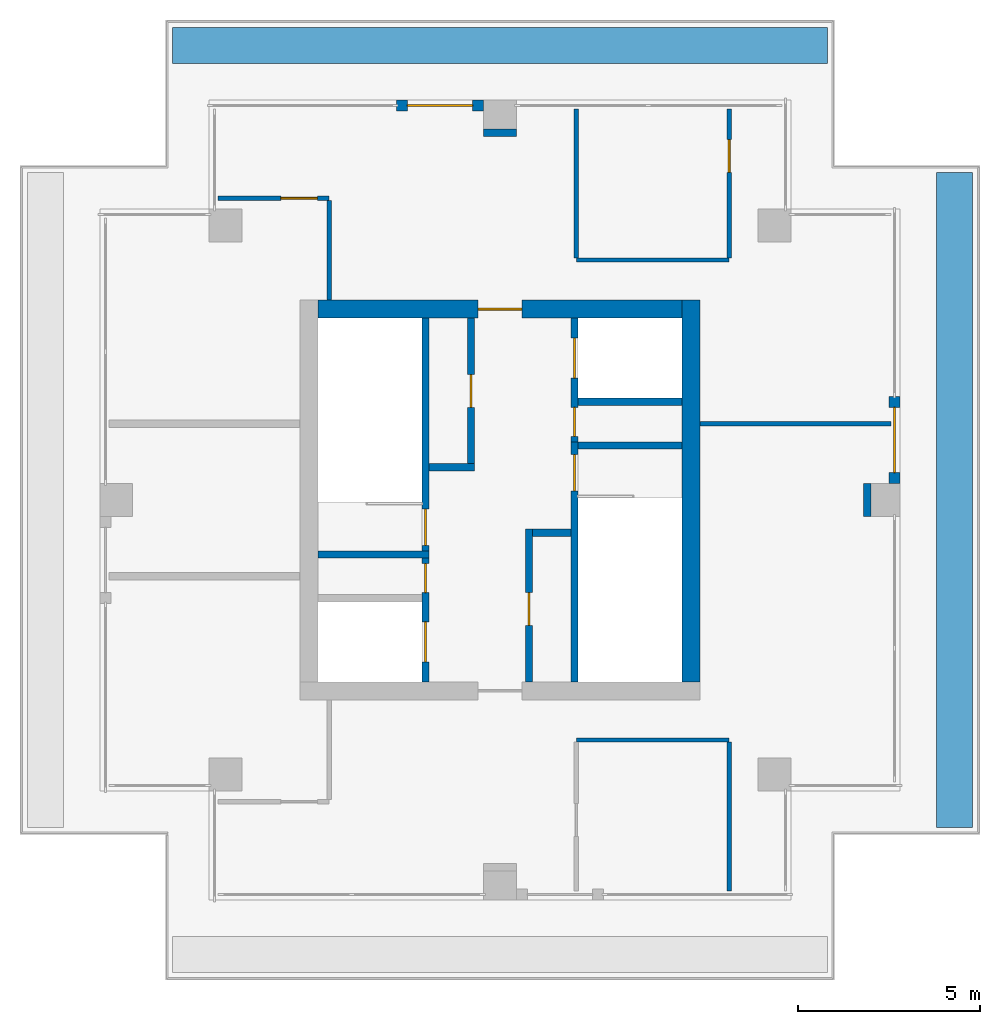
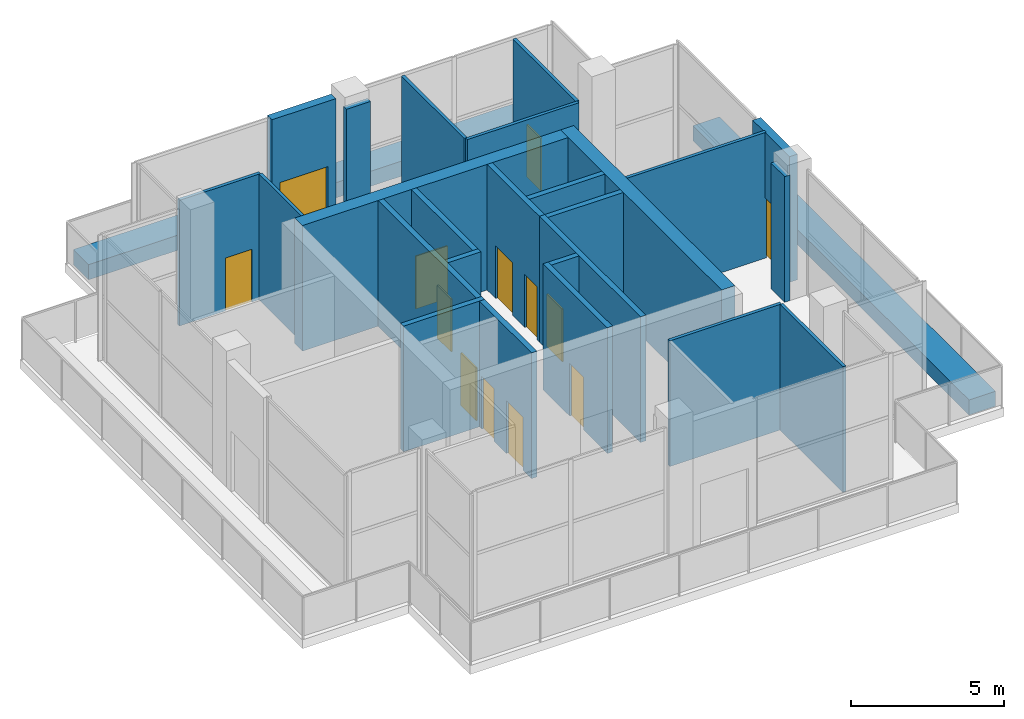
# One storey, part 4 of 5: 27 walls, 13 doors, 13 openings.
"""IFC4 building model written with IfcOpenShell, lengths in metres."""

from ifc_helpers import new_model, si_unit, direction, frame, frame_2d, origin, place, context, subcontext, project, spatial, rectangle, extrude, material, layer, layer_set, type_object, element, fill, save


model = new_model("IFC4")

# Units and contexts
model_context = context("Model", 3, precision=1e-05, world=origin(), true_north=direction((0.0, 1.0)))
body_context = subcontext(model_context, "Body", "Model", "MODEL_VIEW")
ifc_project = project(units=[si_unit("LENGTHUNIT", "METRE"), si_unit("AREAUNIT", "SQUARE_METRE"), si_unit("VOLUMEUNIT", "CUBIC_METRE"), si_unit("PLANEANGLEUNIT", "RADIAN"), si_unit("MASSUNIT", "GRAM", prefix="KILO")], contexts=[model_context])

# Site, building, storey
site_placement = place(None, origin())
site = spatial("IfcSite", under=ifc_project, at=site_placement, CompositionType="ELEMENT")
building_placement = place(site_placement, origin())
building = spatial("IfcBuilding", under=site, at=building_placement, Name="Khepri Terraces", CompositionType="ELEMENT")
storey_placement = place(building_placement, frame((0.0, 0.0, 316.199951171875)))
storey = spatial("IfcBuildingStorey", under=building, at=storey_placement, Name="L76", CompositionType="ELEMENT", Elevation=316.199951171875)

# Wall, opening, door
ifc_material_1 = material(Name="Concrete C40/50", Category="concrete")
ifc_layer_1 = layer(ifc_material_1, 0.199951171875, Name="Concrete C40/50", Category="concrete")
ifc_layer_set_1 = layer_set([ifc_layer_1], Name="Concrete C40/50")
wall_type_1 = type_object("IfcWallType", Name="Core wall 200 C40/50", PredefinedType="SHEAR", material=ifc_layer_set_1)
wall_1_placement = place(storey_placement, frame((2.050048828125, -5.0, 0.0), z_axis=(0.0, 0.0, 1.0), x_axis=(0.0, 1.0, 0.0)))
wall_1 = element("IfcWall", 1, at=wall_1_placement, inside=storey, type_object=wall_type_1, Name="Core wall ST01 L76", PredefinedType="SHEAR", context=body_context, shape_type="SweptSolid", body=[
    extrude(rectangle(XDim=6.60009765625, YDim=0.199951171875, at=frame_2d((3.300048828125, 0.0))), origin(), (0.0, 0.0, 1.0), 5.0),
])
opening_1_placement = place(wall_1_placement, frame((5.25, 0.0, 0.0)))
opening_1 = element("IfcOpeningElement", 2, at=opening_1_placement, cuts=wall_1, Name="Opening L76-C04", PredefinedType="OPENING", context=body_context, shape_type="SweptSolid", body=[
    extrude(rectangle(XDim=1.0, YDim=2.10009765625, at=frame_2d((0.5, 1.050048828125))), frame((0.0, 0.10986328125, 0.0), z_axis=(0.0, -1.0, 0.0), x_axis=(1.0, 0.0, 0.0)), (0.0, 0.0, 1.0), 0.219970703125),
])
ifc_material_2 = material(Name="Painted steel", Category="steel")
door_type_1 = type_object("IfcDoorType", Name="DR-CORE-STAIR-1000", OperationType="NOTDEFINED", PredefinedType="DOOR", material=ifc_material_2)
door_1_placement = place(opening_1_placement, frame((1.0, 0.0, 0.0), z_axis=(0.0, 0.0, 1.0), x_axis=(-1.0, 0.0, 0.0)))
door_1 = element("IfcDoor", 3, at=door_1_placement, inside=storey, type_object=door_type_1, Name="Stair door L76-C04", OperationType="SINGLE_SWING_LEFT", OverallHeight=2.10009765625, OverallWidth=1.0, PredefinedType="DOOR", context=body_context, shape_type="SweptSolid", body=[
    extrude(rectangle(XDim=1.0, YDim=2.10009765625, at=frame_2d((0.5, 1.050048828125))), frame((0.0, 0.02490234375, 0.0), z_axis=(0.0, -1.0, 0.0), x_axis=(1.0, 0.0, 0.0)), (0.0, 0.0, 1.0), 0.050048828125),
])
fill(opening_1, door_1)

# Wall
wall_2_placement = place(storey_placement, frame((-5.0, -1.5, 0.0), z_axis=(0.0, 0.0, 1.0), x_axis=(1.0, 0.0, 0.0)))
element("IfcWall", 4, at=wall_2_placement, inside=storey, type_object=wall_type_1, Name="Core wall ST02 L76", PredefinedType="SHEAR", context=body_context, shape_type="SweptSolid", body=[
    extrude(rectangle(XDim=3.050048828125, YDim=0.199951171875, at=frame_2d((1.52490234375, 0.0))), origin(), (0.0, 0.0, 1.0), 5.0),
])

# Wall, opening, door
wall_3_placement = place(storey_placement, frame((-2.050048828125, -1.39990234375, 0.0), z_axis=(0.0, 0.0, 1.0), x_axis=(0.0, 1.0, 0.0)))
wall_3 = element("IfcWall", 5, at=wall_3_placement, inside=storey, type_object=wall_type_1, Name="Core wall ST03 L76", PredefinedType="SHEAR", context=body_context, shape_type="SweptSolid", body=[
    extrude(rectangle(XDim=6.39990234375, YDim=0.199951171875, at=frame_2d((3.199951171875, 0.0))), origin(), (0.0, 0.0, 1.0), 5.0),
])
opening_2_placement = place(wall_3_placement, frame((0.14990234375, 0.0, 0.0)))
opening_2 = element("IfcOpeningElement", 6, at=opening_2_placement, cuts=wall_3, Name="Opening L76-C03", PredefinedType="OPENING", context=body_context, shape_type="SweptSolid", body=[
    extrude(rectangle(XDim=1.0, YDim=2.10009765625, at=frame_2d((0.5, 1.050048828125))), frame((0.0, 0.10986328125, 0.0), z_axis=(0.0, -1.0, 0.0), x_axis=(1.0, 0.0, 0.0)), (0.0, 0.0, 1.0), 0.219970703125),
])
door_2_placement = place(opening_2_placement, origin())
door_2 = element("IfcDoor", 7, at=door_2_placement, inside=storey, type_object=door_type_1, Name="Stair door L76-C03", OperationType="SINGLE_SWING_LEFT", OverallHeight=2.10009765625, OverallWidth=1.0, PredefinedType="DOOR", context=body_context, shape_type="SweptSolid", body=[
    extrude(rectangle(XDim=1.0, YDim=2.10009765625, at=frame_2d((0.5, 1.050048828125))), frame((0.0, 0.02490234375, 0.0), z_axis=(0.0, -1.0, 0.0), x_axis=(1.0, 0.0, 0.0)), (0.0, 0.0, 1.0), 0.050048828125),
])
fill(opening_2, door_2)

# Wall
wall_4_placement = place(storey_placement, frame((2.14990234375, 1.5, 0.0), z_axis=(0.0, 0.0, 1.0), x_axis=(1.0, 0.0, 0.0)))
element("IfcWall", 8, at=wall_4_placement, inside=storey, type_object=wall_type_1, Name="Core wall ST04 L76", PredefinedType="SHEAR", context=body_context, shape_type="SweptSolid", body=[
    extrude(rectangle(XDim=2.85009765625, YDim=0.199951171875, at=frame_2d((1.425048828125, 0.0))), origin(), (0.0, 0.0, 1.0), 5.0),
])

# Wall, openings, doors
wall_5_placement = place(storey_placement, frame((-2.050048828125, -5.0, 0.0), z_axis=(0.0, 0.0, 1.0), x_axis=(0.0, 1.0, 0.0)))
wall_5 = element("IfcWall", 9, at=wall_5_placement, inside=storey, type_object=wall_type_1, Name="Core wall SH01 L76", PredefinedType="SHEAR", context=body_context, shape_type="SweptSolid", body=[
    extrude(rectangle(XDim=3.39990234375, YDim=0.199951171875, at=frame_2d((1.699951171875, 0.0))), origin(), (0.0, 0.0, 1.0), 5.0),
])
opening_3_placement = place(wall_5_placement, frame((0.550048828125, 0.0, 0.0)))
opening_3 = element("IfcOpeningElement", 10, at=opening_3_placement, cuts=wall_5, Name="Opening L76-C02", PredefinedType="OPENING", context=body_context, shape_type="SweptSolid", body=[
    extrude(rectangle(XDim=1.10009765625, YDim=2.10009765625, at=frame_2d((0.550048828125, 1.050048828125))), frame((0.0, 0.10986328125, 0.0), z_axis=(0.0, -1.0, 0.0), x_axis=(1.0, 0.0, 0.0)), (0.0, 0.0, 1.0), 0.219970703125),
])
opening_4_placement = place(wall_5_placement, frame((2.449951171875, 0.0, 0.0)))
opening_4 = element("IfcOpeningElement", 11, at=opening_4_placement, cuts=wall_5, Name="Opening L76-C06", PredefinedType="OPENING", context=body_context, shape_type="SweptSolid", body=[
    extrude(rectangle(XDim=0.800048828125, YDim=2.10009765625, at=frame_2d((0.39990234375, 1.050048828125))), frame((0.0, 0.10986328125, 0.0), z_axis=(0.0, -1.0, 0.0), x_axis=(1.0, 0.0, 0.0)), (0.0, 0.0, 1.0), 0.219970703125),
])
ifc_material_3 = material(Name="Stainless steel 304", Category="steel")
door_type_2 = type_object("IfcDoorType", Name="DR-CORE-FF-LANDING-1100", OperationType="NOTDEFINED", PredefinedType="DOOR", material=ifc_material_3)
door_3_placement = place(opening_3_placement, origin())
door_3 = element("IfcDoor", 12, at=door_3_placement, inside=storey, type_object=door_type_2, Name="Firefighting lift landing door L76-C02", OperationType="SLIDING_TO_LEFT", OverallHeight=2.10009765625, OverallWidth=1.10009765625, PredefinedType="DOOR", context=body_context, shape_type="SweptSolid", body=[
    extrude(rectangle(XDim=1.10009765625, YDim=2.10009765625, at=frame_2d((0.550048828125, 1.050048828125))), frame((0.0, 0.02490234375, 0.0), z_axis=(0.0, -1.0, 0.0), x_axis=(1.0, 0.0, 0.0)), (0.0, 0.0, 1.0), 0.050048828125),
])
fill(opening_3, door_3)
door_type_3 = type_object("IfcDoorType", Name="DR-CORE-RISER-800", OperationType="NOTDEFINED", PredefinedType="DOOR", material=ifc_material_2)
door_4_placement = place(opening_4_placement, origin())
door_4 = element("IfcDoor", 13, at=door_4_placement, inside=storey, type_object=door_type_3, Name="Riser door L76-C06", OperationType="SINGLE_SWING_RIGHT", OverallHeight=2.10009765625, OverallWidth=0.800048828125, PredefinedType="DOOR", context=body_context, shape_type="SweptSolid", body=[
    extrude(rectangle(XDim=0.800048828125, YDim=2.10009765625, at=frame_2d((0.39990234375, 1.050048828125))), frame((0.0, 0.02490234375, 0.0), z_axis=(0.0, -1.0, 0.0), x_axis=(1.0, 0.0, 0.0)), (0.0, 0.0, 1.0), 0.050048828125),
])
fill(opening_4, door_4)

# Wall, opening, door
wall_6_placement = place(storey_placement, frame((0.800048828125, -5.0, 0.0), z_axis=(0.0, 0.0, 1.0), x_axis=(0.0, 1.0, 0.0)))
wall_6 = element("IfcWall", 14, at=wall_6_placement, inside=storey, type_object=wall_type_1, Name="Core wall SH02 L76", PredefinedType="SHEAR", context=body_context, shape_type="SweptSolid", body=[
    extrude(rectangle(XDim=4.199951171875, YDim=0.199951171875, at=frame_2d((2.10009765625, 0.0))), origin(), (0.0, 0.0, 1.0), 5.0),
])
opening_5_placement = place(wall_6_placement, frame((1.550048828125, 0.0, 0.0)))
opening_5 = element("IfcOpeningElement", 15, at=opening_5_placement, cuts=wall_6, Name="Opening L76-C08", PredefinedType="OPENING", context=body_context, shape_type="SweptSolid", body=[
    extrude(rectangle(XDim=0.89990234375, YDim=2.10009765625, at=frame_2d((0.449951171875, 1.050048828125))), frame((0.0, 0.10986328125, 0.0), z_axis=(0.0, -1.0, 0.0), x_axis=(1.0, 0.0, 0.0)), (0.0, 0.0, 1.0), 0.219970703125),
])
door_type_4 = type_object("IfcDoorType", Name="DR-CORE-SERVICE-900", OperationType="NOTDEFINED", PredefinedType="DOOR", material=ifc_material_2)
door_5_placement = place(opening_5_placement, frame((0.89990234375, 0.0, 0.0), z_axis=(0.0, 0.0, 1.0), x_axis=(-1.0, 0.0, 0.0)))
door_5 = element("IfcDoor", 16, at=door_5_placement, inside=storey, type_object=door_type_4, Name="Service room door L76-C08", OperationType="SINGLE_SWING_RIGHT", OverallHeight=2.10009765625, OverallWidth=0.89990234375, PredefinedType="DOOR", context=body_context, shape_type="SweptSolid", body=[
    extrude(rectangle(XDim=0.89990234375, YDim=2.10009765625, at=frame_2d((0.449951171875, 1.050048828125))), frame((0.0, 0.02490234375, 0.0), z_axis=(0.0, -1.0, 0.0), x_axis=(1.0, 0.0, 0.0)), (0.0, 0.0, 1.0), 0.050048828125),
])
fill(opening_5, door_5)

# Walls
wall_7_placement = place(storey_placement, frame((0.89990234375, -0.89990234375, 0.0), z_axis=(0.0, 0.0, 1.0), x_axis=(1.0, 0.0, 0.0)))
element("IfcWall", 17, at=wall_7_placement, inside=storey, type_object=wall_type_1, Name="Core wall SH04 L76", PredefinedType="SHEAR", context=body_context, shape_type="SweptSolid", body=[
    extrude(rectangle(XDim=1.050048828125, YDim=0.199951171875, at=frame_2d((0.52490234375, 0.0))), origin(), (0.0, 0.0, 1.0), 5.0),
])
wall_8_placement = place(storey_placement, frame((-1.949951171875, 0.89990234375, 0.0), z_axis=(0.0, 0.0, 1.0), x_axis=(1.0, 0.0, 0.0)))
element("IfcWall", 18, at=wall_8_placement, inside=storey, type_object=wall_type_1, Name="Core wall SH05 L76", PredefinedType="SHEAR", context=body_context, shape_type="SweptSolid", body=[
    extrude(rectangle(XDim=1.25, YDim=0.199951171875, at=frame_2d((0.625, 0.0))), origin(), (0.0, 0.0, 1.0), 5.0),
])

# Wall, opening, door
wall_9_placement = place(storey_placement, frame((-0.800048828125, 1.0, 0.0), z_axis=(0.0, 0.0, 1.0), x_axis=(0.0, 1.0, 0.0)))
wall_9 = element("IfcWall", 19, at=wall_9_placement, inside=storey, type_object=wall_type_1, Name="Core wall SH06 L76", PredefinedType="SHEAR", context=body_context, shape_type="SweptSolid", body=[
    extrude(rectangle(XDim=4.0, YDim=0.199951171875, at=frame_2d((2.0, 0.0))), origin(), (0.0, 0.0, 1.0), 5.0),
])
opening_6_placement = place(wall_9_placement, frame((1.550048828125, 0.0, 0.0)))
opening_6 = element("IfcOpeningElement", 20, at=opening_6_placement, cuts=wall_9, Name="Opening L76-C07", PredefinedType="OPENING", context=body_context, shape_type="SweptSolid", body=[
    extrude(rectangle(XDim=0.89990234375, YDim=2.10009765625, at=frame_2d((0.449951171875, 1.050048828125))), frame((0.0, 0.10986328125, 0.0), z_axis=(0.0, -1.0, 0.0), x_axis=(1.0, 0.0, 0.0)), (0.0, 0.0, 1.0), 0.219970703125),
])
door_6_placement = place(opening_6_placement, origin())
door_6 = element("IfcDoor", 21, at=door_6_placement, inside=storey, type_object=door_type_4, Name="Service room door L76-C07", OperationType="SINGLE_SWING_RIGHT", OverallHeight=2.10009765625, OverallWidth=0.89990234375, PredefinedType="DOOR", context=body_context, shape_type="SweptSolid", body=[
    extrude(rectangle(XDim=0.89990234375, YDim=2.10009765625, at=frame_2d((0.449951171875, 1.050048828125))), frame((0.0, 0.02490234375, 0.0), z_axis=(0.0, -1.0, 0.0), x_axis=(1.0, 0.0, 0.0)), (0.0, 0.0, 1.0), 0.050048828125),
])
fill(opening_6, door_6)

# Wall, openings, doors
wall_10_placement = place(storey_placement, frame((2.050048828125, 1.60009765625, 0.0), z_axis=(0.0, 0.0, 1.0), x_axis=(0.0, 1.0, 0.0)))
wall_10 = element("IfcWall", 22, at=wall_10_placement, inside=storey, type_object=wall_type_1, Name="Core wall SH07 L76", PredefinedType="SHEAR", context=body_context, shape_type="SweptSolid", body=[
    extrude(rectangle(XDim=3.39990234375, YDim=0.199951171875, at=frame_2d((1.699951171875, 0.0))), origin(), (0.0, 0.0, 1.0), 5.0),
])
opening_7_placement = place(wall_10_placement, frame((1.75, 0.0, 0.0)))
opening_7 = element("IfcOpeningElement", 23, at=opening_7_placement, cuts=wall_10, Name="Opening L76-C01", PredefinedType="OPENING", context=body_context, shape_type="SweptSolid", body=[
    extrude(rectangle(XDim=1.10009765625, YDim=2.10009765625, at=frame_2d((0.550048828125, 1.050048828125))), frame((0.0, 0.10986328125, 0.0), z_axis=(0.0, -1.0, 0.0), x_axis=(1.0, 0.0, 0.0)), (0.0, 0.0, 1.0), 0.219970703125),
])
opening_8_placement = place(wall_10_placement, frame((0.14990234375, 0.0, 0.0)))
opening_8 = element("IfcOpeningElement", 24, at=opening_8_placement, cuts=wall_10, Name="Opening L76-C05", PredefinedType="OPENING", context=body_context, shape_type="SweptSolid", body=[
    extrude(rectangle(XDim=0.800048828125, YDim=2.10009765625, at=frame_2d((0.39990234375, 1.050048828125))), frame((0.0, 0.10986328125, 0.0), z_axis=(0.0, -1.0, 0.0), x_axis=(1.0, 0.0, 0.0)), (0.0, 0.0, 1.0), 0.219970703125),
])
door_7_placement = place(opening_7_placement, origin())
door_7 = element("IfcDoor", 25, at=door_7_placement, inside=storey, type_object=door_type_2, Name="Firefighting lift landing door L76-C01", OperationType="SLIDING_TO_LEFT", OverallHeight=2.10009765625, OverallWidth=1.10009765625, PredefinedType="DOOR", context=body_context, shape_type="SweptSolid", body=[
    extrude(rectangle(XDim=1.10009765625, YDim=2.10009765625, at=frame_2d((0.550048828125, 1.050048828125))), frame((0.0, 0.02490234375, 0.0), z_axis=(0.0, -1.0, 0.0), x_axis=(1.0, 0.0, 0.0)), (0.0, 0.0, 1.0), 0.050048828125),
])
fill(opening_7, door_7)
door_8_placement = place(opening_8_placement, frame((0.800048828125, 0.0, 0.0), z_axis=(0.0, 0.0, 1.0), x_axis=(-1.0, 0.0, 0.0)))
door_8 = element("IfcDoor", 26, at=door_8_placement, inside=storey, type_object=door_type_3, Name="Riser door L76-C05", OperationType="SINGLE_SWING_RIGHT", OverallHeight=2.10009765625, OverallWidth=0.800048828125, PredefinedType="DOOR", context=body_context, shape_type="SweptSolid", body=[
    extrude(rectangle(XDim=0.800048828125, YDim=2.10009765625, at=frame_2d((0.39990234375, 1.050048828125))), frame((0.0, 0.02490234375, 0.0), z_axis=(0.0, -1.0, 0.0), x_axis=(1.0, 0.0, 0.0)), (0.0, 0.0, 1.0), 0.050048828125),
])
fill(opening_8, door_8)

# Walls
wall_11_placement = place(storey_placement, frame((2.14990234375, 2.699951171875, 0.0), z_axis=(0.0, 0.0, 1.0), x_axis=(1.0, 0.0, 0.0)))
element("IfcWall", 27, at=wall_11_placement, inside=storey, type_object=wall_type_1, Name="Core wall SH08 L76", PredefinedType="SHEAR", context=body_context, shape_type="SweptSolid", body=[
    extrude(rectangle(XDim=2.85009765625, YDim=0.199951171875, at=frame_2d((1.425048828125, 0.0))), origin(), (0.0, 0.0, 1.0), 5.0),
])
ifc_layer_2 = layer(ifc_material_1, 0.5, Name="Concrete C40/50", Category="concrete")
ifc_layer_set_2 = layer_set([ifc_layer_2], Name="Concrete C40/50")
wall_type_2 = type_object("IfcWallType", Name="Core wall 500 C40/50", PredefinedType="SHEAR", material=ifc_layer_set_2)
wall_12_placement = place(storey_placement, frame((5.25, -5.0, 0.0), z_axis=(0.0, 0.0, 1.0), x_axis=(0.0, 1.0, 0.0)))
element("IfcWall", 28, at=wall_12_placement, inside=storey, type_object=wall_type_2, Name="Core wall BX03 L76", PredefinedType="SHEAR", context=body_context, shape_type="SweptSolid", body=[
    extrude(rectangle(XDim=10.5, YDim=0.5, at=frame_2d((5.25, 0.0))), origin(), (0.0, 0.0, 1.0), 5.0),
])

# Wall, opening, door
wall_13_placement = place(storey_placement, frame((-5.0, 5.25, 0.0), z_axis=(0.0, 0.0, 1.0), x_axis=(1.0, 0.0, 0.0)))
wall_13 = element("IfcWall", 29, at=wall_13_placement, inside=storey, type_object=wall_type_2, Name="Core wall BX04 L76", PredefinedType="SHEAR", context=body_context, shape_type="SweptSolid", body=[
    extrude(rectangle(XDim=10.0, YDim=0.5, at=frame_2d((5.0, 0.0))), origin(), (0.0, 0.0, 1.0), 5.0),
])
opening_9_placement = place(wall_13_placement, frame((4.39990234375, 0.0, 0.0)))
opening_9 = element("IfcOpeningElement", 30, at=opening_9_placement, cuts=wall_13, Name="Opening L76-C09", PredefinedType="OPENING", context=body_context, shape_type="SweptSolid", body=[
    extrude(rectangle(XDim=1.199951171875, YDim=2.10009765625, at=frame_2d((0.60009765625, 1.050048828125))), frame((0.0, 0.260009765625, 0.0), z_axis=(0.0, -1.0, 0.0), x_axis=(1.0, 0.0, 0.0)), (0.0, 0.0, 1.0), 0.52001953125),
])
door_type_5 = type_object("IfcDoorType", Name="DR-CORE-FF-LOBBY-1200", OperationType="NOTDEFINED", PredefinedType="DOOR", material=ifc_material_2)
door_9_placement = place(opening_9_placement, origin())
door_9 = element("IfcDoor", 31, at=door_9_placement, inside=storey, type_object=door_type_5, Name="Firefighting lobby door L76-C09", OperationType="SINGLE_SWING_RIGHT", OverallHeight=2.10009765625, OverallWidth=1.199951171875, PredefinedType="DOOR", context=body_context, shape_type="SweptSolid", body=[
    extrude(rectangle(XDim=1.199951171875, YDim=2.10009765625, at=frame_2d((0.60009765625, 1.050048828125))), frame((0.0, 0.02490234375, 0.0), z_axis=(0.0, -1.0, 0.0), x_axis=(1.0, 0.0, 0.0)), (0.0, 0.0, 1.0), 0.050048828125),
])
fill(opening_9, door_9)

# Walls
ifc_material_4 = material(Name="Fire-rated gypsum plasterboard partition, mineral wool")
ifc_layer_3 = layer(ifc_material_4, 0.199951171875, Name="Fire-rated gypsum plasterboard partition, mineral wool")
ifc_layer_set_3 = layer_set([ifc_layer_3], Name="Fire-rated gypsum plasterboard partition, mineral wool")
wall_type_3 = type_object("IfcWallType", Name="WL-CORR-200", PredefinedType="PARTITIONING", material=ifc_layer_set_3)
for number, where, z_axis, x_axis, name in (
    (32, (10.10009765625, -0.449951171875, 0.0), (0.0, 0.0, 1.0), (0.0, 1.0, 0.0), "Partition P-008 L76"),
    (33, (-0.449951171875, 10.10009765625, 0.0), (0.0, 0.0, 1.0), (1.0, 0.0, 0.0), "Partition P-016 L76"),
):
    element("IfcWall", number, at=place(storey_placement, frame(where, z_axis=z_axis, x_axis=x_axis)), inside=storey, type_object=wall_type_3, Name=name, PredefinedType="PARTITIONING", context=body_context, shape_type="SweptSolid", body=[
        extrude(rectangle(XDim=0.89990234375, YDim=0.199951171875, at=frame_2d((0.449951171875, 0.0))), origin(), (0.0, 0.0, 1.0), 5.0),
    ])

# Wall, opening, door
ifc_material_5 = material(Name="Precast concrete C50/60 warm stone", Category="masonry")
ifc_layer_4 = layer(ifc_material_5, 0.300048828125, Name="Precast concrete C50/60 warm stone", Category="masonry")
ifc_layer_set_4 = layer_set([ifc_layer_4], Name="Precast concrete C50/60 warm stone")
wall_type_4 = type_object("IfcWallType", Name="WL-EXT-PRECAST-300", PredefinedType="STANDARD", material=ifc_layer_set_4)
wall_14_placement = place(storey_placement, frame((10.85009765625, 0.449951171875, 0.0), z_axis=(0.0, 0.0, 1.0), x_axis=(0.0, 1.0, 0.0)))
wall_14 = element("IfcWall", 34, at=wall_14_placement, inside=storey, type_object=wall_type_4, Name="External wall L76 E", PredefinedType="STANDARD", context=body_context, shape_type="SweptSolid", body=[
    extrude(rectangle(XDim=2.400146484375, YDim=0.300048828125, at=frame_2d((1.2001953125, 0.0))), origin(), (0.0, 0.0, 1.0), 5.0),
])
opening_10_placement = place(wall_14_placement, frame((0.300048828125, 0.0, 0.0)))
opening_10 = element("IfcOpeningElement", 35, at=opening_10_placement, cuts=wall_14, Name="Opening ED-L76-02", PredefinedType="OPENING", context=body_context, shape_type="SweptSolid", body=[
    extrude(rectangle(XDim=1.800048828125, YDim=2.39990234375, at=frame_2d((0.89990234375, 1.199951171875))), frame((0.0, 0.16015625, 0.0), z_axis=(0.0, -1.0, 0.0), x_axis=(1.0, 0.0, 0.0)), (0.0, 0.0, 1.0), 0.320068359375),
])
ifc_material_6 = material(Name="Anodised aluminium bronze glazed door", Category="aluminium")
door_type_6 = type_object("IfcDoorType", Name="DR-BAL-SLIDE-1800x2400", OperationType="NOTDEFINED", PredefinedType="DOOR", material=ifc_material_6)
door_10_placement = place(opening_10_placement, origin())
door_10 = element("IfcDoor", 36, at=door_10_placement, inside=storey, type_object=door_type_6, Name="Terrace door L76 E", OperationType="SLIDING_TO_LEFT", OverallHeight=2.39990234375, OverallWidth=1.800048828125, PredefinedType="DOOR", context=body_context, shape_type="SweptSolid", body=[
    extrude(rectangle(XDim=1.800048828125, YDim=2.39990234375, at=frame_2d((0.89990234375, 1.199951171875))), frame((0.0, 0.02490234375, 0.0), z_axis=(0.0, -1.0, 0.0), x_axis=(1.0, 0.0, 0.0)), (0.0, 0.0, 1.0), 0.050048828125),
])
fill(opening_10, door_10)

wall_15_placement = place(storey_placement, frame((-0.449951171875, 10.85009765625, 0.0), z_axis=(0.0, 0.0, 1.0), x_axis=(-1.0, 0.0, 0.0)))
wall_15 = element("IfcWall", 37, at=wall_15_placement, inside=storey, type_object=wall_type_4, Name="External wall L76 N", PredefinedType="STANDARD", context=body_context, shape_type="SweptSolid", body=[
    extrude(rectangle(XDim=2.400146484375, YDim=0.300048828125, at=frame_2d((1.2001953125, 0.0))), origin(), (0.0, 0.0, 1.0), 5.0),
])
opening_11_placement = place(wall_15_placement, frame((0.300048828125, 0.0, 0.0)))
opening_11 = element("IfcOpeningElement", 38, at=opening_11_placement, cuts=wall_15, Name="Opening ED-L76-03", PredefinedType="OPENING", context=body_context, shape_type="SweptSolid", body=[
    extrude(rectangle(XDim=1.800048828125, YDim=2.39990234375, at=frame_2d((0.89990234375, 1.199951171875))), frame((0.0, 0.16015625, 0.0), z_axis=(0.0, -1.0, 0.0), x_axis=(1.0, 0.0, 0.0)), (0.0, 0.0, 1.0), 0.320068359375),
])
door_11_placement = place(opening_11_placement, origin())
door_11 = element("IfcDoor", 39, at=door_11_placement, inside=storey, type_object=door_type_6, Name="Terrace door L76 N", OperationType="SLIDING_TO_LEFT", OverallHeight=2.39990234375, OverallWidth=1.800048828125, PredefinedType="DOOR", context=body_context, shape_type="SweptSolid", body=[
    extrude(rectangle(XDim=1.800048828125, YDim=2.39990234375, at=frame_2d((0.89990234375, 1.199951171875))), frame((0.0, 0.02490234375, 0.0), z_axis=(0.0, -1.0, 0.0), x_axis=(1.0, 0.0, 0.0)), (0.0, 0.0, 1.0), 0.050048828125),
])
fill(opening_11, door_11)

# Walls
ifc_material_7 = material(Name="Gypsum plasterboard partition")
ifc_layer_5 = layer(ifc_material_7, 0.1201171875, Name="Gypsum plasterboard partition")
ifc_layer_set_5 = layer_set([ifc_layer_5], Name="Gypsum plasterboard partition")
wall_type_5 = type_object("IfcWallType", Name="WL-PART-120", PredefinedType="PARTITIONING", material=ifc_layer_set_5)
wall_16_placement = place(storey_placement, frame((6.300048828125, -10.75, 0.0), z_axis=(0.0, 0.0, 1.0), x_axis=(0.0, 1.0, 0.0)))
element("IfcWall", 40, at=wall_16_placement, inside=storey, type_object=wall_type_5, Name="Partition P-002 L76", PredefinedType="PARTITIONING", context=body_context, shape_type="SweptSolid", body=[
    extrude(rectangle(XDim=4.090087890625, YDim=0.1201171875, at=frame_2d((2.044921875, 0.0))), origin(), (0.0, 0.0, 1.0), 5.0),
])
wall_17_placement = place(storey_placement, frame((2.10009765625, -6.60009765625, 0.0), z_axis=(0.0, 0.0, 1.0), x_axis=(1.0, 0.0, 0.0)))
element("IfcWall", 41, at=wall_17_placement, inside=storey, type_object=wall_type_5, Name="Partition P-006 L76", PredefinedType="PARTITIONING", context=body_context, shape_type="SweptSolid", body=[
    extrude(rectangle(XDim=4.199951171875, YDim=0.1201171875, at=frame_2d((2.10009765625, 0.0))), origin(), (0.0, 0.0, 1.0), 5.0),
])
wall_18_placement = place(storey_placement, frame((5.5, 2.10009765625, 0.0), z_axis=(0.0, 0.0, 1.0), x_axis=(1.0, 0.0, 0.0)))
element("IfcWall", 42, at=wall_18_placement, inside=storey, type_object=wall_type_5, Name="Partition P-010 L76", PredefinedType="PARTITIONING", context=body_context, shape_type="SweptSolid", body=[
    extrude(rectangle(XDim=5.25, YDim=0.1201171875, at=frame_2d((2.625, 0.0))), origin(), (0.0, 0.0, 1.0), 5.0),
])
wall_19_placement = place(storey_placement, frame((-4.699951171875, 5.5, 0.0), z_axis=(0.0, 0.0, 1.0), x_axis=(0.0, 1.0, 0.0)))
element("IfcWall", 43, at=wall_19_placement, inside=storey, type_object=wall_type_5, Name="Partition P-011 L76", PredefinedType="PARTITIONING", context=body_context, shape_type="SweptSolid", body=[
    extrude(rectangle(XDim=2.739990234375, YDim=0.1201171875, at=frame_2d((1.3701171875, 0.0))), origin(), (0.0, 0.0, 1.0), 5.0),
])
wall_20_placement = place(storey_placement, frame((2.10009765625, 6.60009765625, 0.0), z_axis=(0.0, 0.0, 1.0), x_axis=(1.0, 0.0, 0.0)))
element("IfcWall", 44, at=wall_20_placement, inside=storey, type_object=wall_type_5, Name="Partition P-012 L76", PredefinedType="PARTITIONING", context=body_context, shape_type="SweptSolid", body=[
    extrude(rectangle(XDim=4.199951171875, YDim=0.1201171875, at=frame_2d((2.10009765625, 0.0))), origin(), (0.0, 0.0, 1.0), 5.0),
])
wall_21_placement = place(storey_placement, frame((2.10009765625, 6.659912109375, 0.0), z_axis=(0.0, 0.0, 1.0), x_axis=(0.0, 1.0, 0.0)))
element("IfcWall", 45, at=wall_21_placement, inside=storey, type_object=wall_type_5, Name="Partition P-013 L76", PredefinedType="PARTITIONING", context=body_context, shape_type="SweptSolid", body=[
    extrude(rectangle(XDim=4.090087890625, YDim=0.1201171875, at=frame_2d((2.044921875, 0.0))), origin(), (0.0, 0.0, 1.0), 5.0),
])

# Wall, opening, door
wall_22_placement = place(storey_placement, frame((6.300048828125, 6.659912109375, 0.0), z_axis=(0.0, 0.0, 1.0), x_axis=(0.0, 1.0, 0.0)))
wall_22 = element("IfcWall", 46, at=wall_22_placement, inside=storey, type_object=wall_type_5, Name="Partition P-014 L76", PredefinedType="PARTITIONING", context=body_context, shape_type="SweptSolid", body=[
    extrude(rectangle(XDim=4.090087890625, YDim=0.1201171875, at=frame_2d((2.044921875, 0.0))), origin(), (0.0, 0.0, 1.0), 5.0),
])
opening_12_placement = place(wall_22_placement, frame((2.35009765625, 0.0, 0.0)))
opening_12 = element("IfcOpeningElement", 47, at=opening_12_placement, cuts=wall_22, Name="Opening D4", PredefinedType="OPENING", context=body_context, shape_type="SweptSolid", body=[
    extrude(rectangle(XDim=0.89990234375, YDim=2.10009765625, at=frame_2d((0.449951171875, 1.050048828125))), frame((0.0, 0.070068359375, 0.0), z_axis=(0.0, -1.0, 0.0), x_axis=(1.0, 0.0, 0.0)), (0.0, 0.0, 1.0), 0.14013671875),
])
ifc_material_8 = material(Name="Timber door leaf, moisture resistant", Category="wood")
door_type_7 = type_object("IfcDoorType", Name="DR-WET-900", OperationType="NOTDEFINED", PredefinedType="DOOR", material=ifc_material_8)
door_12_placement = place(opening_12_placement, origin())
door_12 = element("IfcDoor", 48, at=door_12_placement, inside=storey, type_object=door_type_7, Name="Door Wc", OperationType="SINGLE_SWING_RIGHT", OverallHeight=2.10009765625, OverallWidth=0.89990234375, PredefinedType="DOOR", context=body_context, shape_type="SweptSolid", body=[
    extrude(rectangle(XDim=0.89990234375, YDim=2.10009765625, at=frame_2d((0.449951171875, 1.050048828125))), frame((0.0, 0.02490234375, 0.0), z_axis=(0.0, -1.0, 0.0), x_axis=(1.0, 0.0, 0.0)), (0.0, 0.0, 1.0), 0.050048828125),
])
fill(opening_12, door_12)

wall_23_placement = place(storey_placement, frame((-7.75, 8.300048828125, 0.0), z_axis=(0.0, 0.0, 1.0), x_axis=(1.0, 0.0, 0.0)))
wall_23 = element("IfcWall", 49, at=wall_23_placement, inside=storey, type_object=wall_type_5, Name="Partition P-015 L76", PredefinedType="PARTITIONING", context=body_context, shape_type="SweptSolid", body=[
    extrude(rectangle(XDim=3.050048828125, YDim=0.1201171875, at=frame_2d((1.52490234375, 0.0))), origin(), (0.0, 0.0, 1.0), 5.0),
])
opening_13_placement = place(wall_23_placement, frame((1.72509765625, 0.0, 0.0)))
opening_13 = element("IfcOpeningElement", 50, at=opening_13_placement, cuts=wall_23, Name="Opening D2", PredefinedType="OPENING", context=body_context, shape_type="SweptSolid", body=[
    extrude(rectangle(XDim=1.0, YDim=2.10009765625, at=frame_2d((0.5, 1.050048828125))), frame((0.0, 0.070068359375, 0.0), z_axis=(0.0, -1.0, 0.0), x_axis=(1.0, 0.0, 0.0)), (0.0, 0.0, 1.0), 0.14013671875),
])
ifc_material_9 = material(Name="Timber door leaf, living room door", Category="wood")
door_type_8 = type_object("IfcDoorType", Name="DR-INT-1000", OperationType="NOTDEFINED", PredefinedType="DOOR", material=ifc_material_9)
door_13_placement = place(opening_13_placement, frame((1.0, 0.0, 0.0), z_axis=(0.0, 0.0, 1.0), x_axis=(-1.0, 0.0, 0.0)))
door_13 = element("IfcDoor", 51, at=door_13_placement, inside=storey, type_object=door_type_8, Name="Door Tea Kitchen", OperationType="SINGLE_SWING_LEFT", OverallHeight=2.10009765625, OverallWidth=1.0, PredefinedType="DOOR", context=body_context, shape_type="SweptSolid", body=[
    extrude(rectangle(XDim=1.0, YDim=2.10009765625, at=frame_2d((0.5, 1.050048828125))), frame((0.0, 0.02490234375, 0.0), z_axis=(0.0, -1.0, 0.0), x_axis=(1.0, 0.0, 0.0)), (0.0, 0.0, 1.0), 0.050048828125),
])
fill(opening_13, door_13)

# Walls
ifc_layer_6 = layer(ifc_material_5, 1.0, Name="Precast concrete C50/60 warm stone", Category="masonry")
ifc_layer_set_6 = layer_set([ifc_layer_6], Name="Precast concrete C50/60 warm stone")
wall_type_6 = type_object("IfcWallType", Name="WL-PLANTER-1000", PredefinedType="MOVABLE", material=ifc_layer_set_6)
for number, where, z_axis, x_axis, name in (
    (52, (12.5, -9.0, 0.0), (0.0, 0.0, 1.0), (0.0, 1.0, 0.0), "Planter L76"),
    (53, (-9.0, 12.5, 0.0), (0.0, 0.0, 1.0), (1.0, 0.0, 0.0), "Planter L76"),
):
    element("IfcWall", number, at=place(storey_placement, frame(where, z_axis=z_axis, x_axis=x_axis)), inside=storey, type_object=wall_type_6, Name=name, PredefinedType="MOVABLE", context=body_context, shape_type="SweptSolid", body=[
        extrude(rectangle(XDim=18.0, YDim=1.0, at=frame_2d((9.0, 0.0))), origin(), (0.0, 0.0, 1.0), 0.60009765625),
    ])

save(model, "model.ifc")
